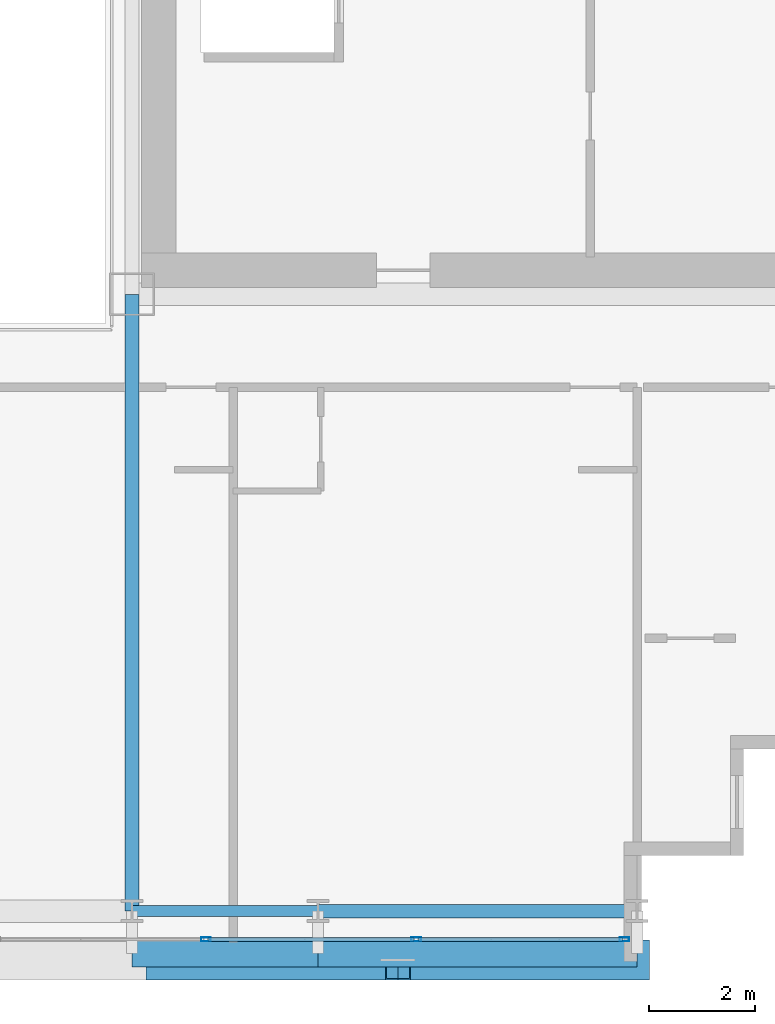
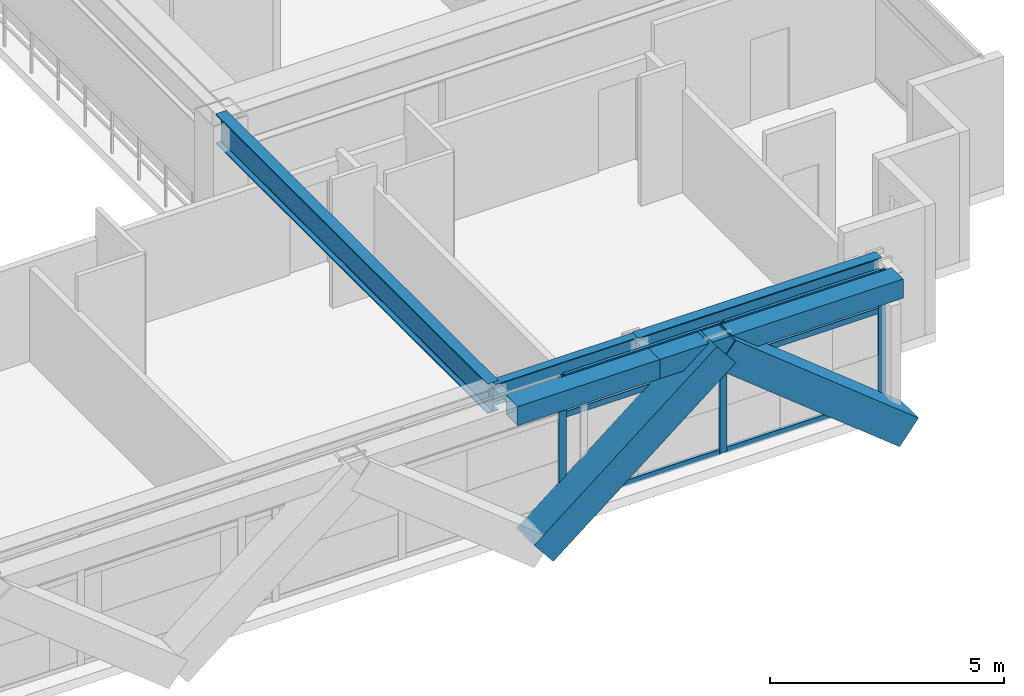
# One storey, part 10 of 35: 11 members, 5 beams, 1 element without a shape of its own.
"""IFC4 building model written with IfcOpenShell, lengths in metres."""

from ifc_helpers import new_model, si_unit, direction, frame, origin, origin_2d, place, context, subcontext, project, spatial, hollow_rectangle, i_section, extrude, source, transform, mapped, material, layer, layer_set, material_profile, profile_set, type_object, element, aggregate, save


model = new_model("IFC4")

# Units and contexts
model_context = context("Model", 3, precision=1e-05, world=origin(), true_north=direction((0.0, 1.0)))
body_context = subcontext(model_context, "Body", "Model", "MODEL_VIEW")
ifc_project = project(units=[si_unit("LENGTHUNIT", "METRE"), si_unit("AREAUNIT", "SQUARE_METRE"), si_unit("VOLUMEUNIT", "CUBIC_METRE"), si_unit("PLANEANGLEUNIT", "RADIAN"), si_unit("MASSUNIT", "GRAM", prefix="KILO")], contexts=[model_context])

# Site, building, storey
site_placement = place(None, origin())
site = spatial("IfcSite", under=ifc_project, at=site_placement, CompositionType="ELEMENT")
building_placement = place(site_placement, origin())
building = spatial("IfcBuilding", under=site, at=building_placement, Name="Ocotamira Hotel", CompositionType="ELEMENT")
storey_placement = place(building_placement, frame((0.0, 0.0, 140.39990234375)))
storey = spatial("IfcBuildingStorey", under=building, at=storey_placement, Name="L35", CompositionType="ELEMENT", Elevation=140.39990234375)

# Beams
ifc_material_1 = material(Name="Steel ASTM A992 Grade 50", Category="steel")
ifc_material_profile_1 = material_profile(ifc_material_1, i_section(OverallWidth=0.256103515625, OverallDepth=0.693115234375, WebThickness=0.014404296875, FlangeThickness=0.023681640625, FilletRadius=0.01611328125, at=origin_2d()), Name="W27X114")
ifc_profile_set_1 = profile_set([ifc_material_profile_1], Name="Steel ASTM A992 Grade 50")
beam_type_1 = type_object("IfcBeamType", Name="BM-PRIM-W27X114", PredefinedType="BEAM", material=ifc_profile_set_1)
shared_shape_1 = source(origin(), body_context, "Body", "SweptSolid", [
    extrude(i_section(OverallWidth=0.256103515625, OverallDepth=0.693115234375, WebThickness=0.014404296875, FlangeThickness=0.023681640625, FilletRadius=0.01611328125, at=origin_2d()), origin(), (0.0, 0.0, 1.0), 6.0),
])
beam_1_placement = place(storey_placement, frame((44.0, 2.949951171875, 3.013671875), z_axis=(1.0, 0.0, 0.0), x_axis=(0.0, 1.0, 0.0)))
element("IfcBeam", 1, at=beam_1_placement, inside=storey, type_object=beam_type_1, Name="L35 Girder Y2.95 X44-50", PredefinedType="BEAM", context=body_context, shape_type="MappedRepresentation", body=[
    mapped(shared_shape_1, transform((0.0, 0.0, 0.0), scale=1.0)),
])
ifc_material_profile_2 = material_profile(ifc_material_1, i_section(OverallWidth=0.2099609375, OverallDepth=0.537109375, WebThickness=0.010986328125, FlangeThickness=0.017333984375, FilletRadius=0.012939453125, at=origin_2d()), Name="W21X68")
ifc_profile_set_2 = profile_set([ifc_material_profile_2], Name="Steel ASTM A992 Grade 50")
beam_type_2 = type_object("IfcBeamType", Name="BM-SEC-W21X68", PredefinedType="JOIST", material=ifc_profile_set_2)
shared_shape_2 = source(origin(), body_context, "Body", "SweptSolid", [
    extrude(i_section(OverallWidth=0.2099609375, OverallDepth=0.537109375, WebThickness=0.010986328125, FlangeThickness=0.017333984375, FilletRadius=0.012939453125, at=origin_2d()), origin(), (0.0, 0.0, 1.0), 3.5),
])
beam_2_placement = place(storey_placement, frame((40.5, 2.949951171875, 3.091552734375), z_axis=(1.0, 0.0, 0.0), x_axis=(0.0, 1.0, 0.0)))
element("IfcBeam", 2, at=beam_2_placement, inside=storey, type_object=beam_type_2, Name="L35 Girder Y2.95 X40.5-44", PredefinedType="JOIST", context=body_context, shape_type="MappedRepresentation", body=[
    mapped(shared_shape_2, transform((0.0, 0.0, 0.0), scale=1.0)),
])
ifc_material_profile_3 = material_profile(ifc_material_1, i_section(OverallWidth=0.26611328125, OverallDepth=0.779052734375, WebThickness=0.0166015625, FlangeThickness=0.030029296875, FilletRadius=0.01806640625, at=origin_2d()), Name="W30X148")
ifc_profile_set_3 = profile_set([ifc_material_profile_3], Name="Steel ASTM A992 Grade 50")
beam_type_3 = type_object("IfcBeamType", Name="BM-GIRD-W30X148", PredefinedType="BEAM", material=ifc_profile_set_3)
shared_shape_3 = source(origin(), body_context, "Body", "SweptSolid", [
    extrude(i_section(OverallWidth=0.26611328125, OverallDepth=0.779052734375, WebThickness=0.0166015625, FlangeThickness=0.030029296875, FilletRadius=0.01806640625, at=origin_2d()), origin(), (0.0, 0.0, 1.0), 11.60009765625),
])
beam_3_placement = place(storey_placement, frame((40.5, 2.949951171875, 2.970703125), z_axis=(0.0, 1.0, 0.0), x_axis=(-1.0, 0.0, 0.0)))
element("IfcBeam", 3, at=beam_3_placement, inside=storey, type_object=beam_type_3, Name="L35 Beam X40.5 Y2.95-14.55", PredefinedType="BEAM", context=body_context, shape_type="MappedRepresentation", body=[
    mapped(shared_shape_3, transform((0.0, 0.0, 0.0), scale=1.0)),
])
ifc_material_2 = material(Name="Steel ASTM A500 Grade C", Category="steel")
ifc_material_profile_4 = material_profile(ifc_material_2, hollow_rectangle(XDim=0.5, YDim=0.5, WallThickness=0.02001953125, at=origin_2d()), Name="HSS500X500X20")
ifc_profile_set_4 = profile_set([ifc_material_profile_4], Name="Steel ASTM A500 Grade C")
beam_type_4 = type_object("IfcBeamType", Name="BM-SPAN-HSS500", PredefinedType="USERDEFINED", material=ifc_profile_set_4)
shared_shape_4 = source(origin(), body_context, "Body", "SweptSolid", [
    extrude(hollow_rectangle(XDim=0.5, YDim=0.5, WallThickness=0.02001953125, at=origin_2d()), origin(), (0.0, 0.0, 1.0), 6.0),
])
beam_4_placement = place(storey_placement, frame((44.0, 2.14990234375, 3.110107421875), z_axis=(1.0, 0.0, 0.0), x_axis=(0.0, 1.0, 0.0)))
element("IfcBeam", 4, at=beam_4_placement, inside=storey, type_object=beam_type_4, Name="L35 Edge Spandrel S X44-50", ObjectType="SPANDREL", PredefinedType="USERDEFINED", context=body_context, shape_type="MappedRepresentation", body=[
    mapped(shared_shape_4, transform((0.0, 0.0, 0.0), scale=1.0)),
])
shared_shape_5 = source(origin(), body_context, "Body", "SweptSolid", [
    extrude(hollow_rectangle(XDim=0.5, YDim=0.5, WallThickness=0.02001953125, at=origin_2d()), origin(), (0.0, 0.0, 1.0), 3.5),
])
beam_5_placement = place(storey_placement, frame((40.5, 2.14990234375, 3.110107421875), z_axis=(1.0, 0.0, 0.0), x_axis=(0.0, 1.0, 0.0)))
element("IfcBeam", 5, at=beam_5_placement, inside=storey, type_object=beam_type_4, Name="L35 Edge Spandrel S X40.5-44", ObjectType="SPANDREL", PredefinedType="USERDEFINED", context=body_context, shape_type="MappedRepresentation", body=[
    mapped(shared_shape_5, transform((0.0, 0.0, 0.0), scale=1.0)),
])

# Members
ifc_material_3 = material(Name="Pale-metal coated steel ASTM A913 Grade 65", Category="steel")
ifc_material_profile_5 = material_profile(ifc_material_3, hollow_rectangle(XDim=0.75, YDim=0.75, WallThickness=0.028076171875, at=origin_2d()), Name="BOX750X750X28")
ifc_profile_set_5 = profile_set([ifc_material_profile_5], Name="Pale-metal coated steel ASTM A913 Grade 65")
member_type_1 = type_object("IfcMemberType", Name="MEM-EXO-BOX750", PredefinedType="BRACE", material=ifc_profile_set_5)
shared_shape_6 = source(origin(), body_context, "Body", "SweptSolid", [
    extrude(hollow_rectangle(XDim=0.75, YDim=0.75, WallThickness=0.028076171875, at=origin_2d()), origin(), (0.0, 0.0, 1.0), 5.762939453125),
])
for number, where, z_axis, x_axis, name in (
    (6, (41.0, 2.030029296875, -0.489990234375), (0.780860543151, 0.0, 0.624705380279), (0.0, 1.0, 0.0), "L35 Exoskeleton Diagrid S3.1"),
    (7, (50.0, 2.030029296875, -0.489990234375), (-0.780860543151, 0.0, 0.624705380279), (0.0, -1.0, 0.0), "L35 Exoskeleton Diagrid S3.2"),
):
    element("IfcMember", number, at=place(storey_placement, frame(where, z_axis=z_axis, x_axis=x_axis)), inside=storey, type_object=member_type_1, Name=name, PredefinedType="BRACE", context=body_context, shape_type="MappedRepresentation", body=[
        mapped(shared_shape_6, transform((0.0, 0.0, 0.0), scale=1.0)),
    ])

# Curtain wall, members
ifc_material_4 = material(Name="Anodised pale-metal aluminium and solar glass", Category="aluminium")
ifc_layer = layer(ifc_material_4, 0.179931640625)
ifc_layer_set = layer_set([ifc_layer], Name="Anodised pale-metal aluminium and solar glass")
curtain_wall_type = type_object("IfcCurtainWallType", Name="CW-SYS3-Z2", PredefinedType="NOTDEFINED", material=ifc_layer_set)
curtain_wall_placement = place(storey_placement, origin())
curtain_wall = element("IfcCurtainWall", 8, at=curtain_wall_placement, inside=storey, type_object=curtain_wall_type, Name="L35 Curtain Wall CW-3 CW-L35-S1", PredefinedType="NOTDEFINED")
ifc_material_5 = material(Name="Anodised pale-metal aluminium 6063-T6", Category="aluminium")
ifc_material_profile_6 = material_profile(ifc_material_5, hollow_rectangle(XDim=0.074951171875, YDim=0.14990234375, WallThickness=0.006103515625, at=origin_2d()), Name="HSS150X75X6")
ifc_profile_set_6 = profile_set([ifc_material_profile_6], Name="Anodised pale-metal aluminium 6063-T6")
member_type_2 = type_object("IfcMemberType", Name="CWT-150X75", PredefinedType="USERDEFINED", material=ifc_profile_set_6)
shared_shape_7 = source(origin(), body_context, "Body", "SweptSolid", [
    extrude(hollow_rectangle(XDim=0.074951171875, YDim=0.14990234375, WallThickness=0.006103515625, at=origin_2d()), origin(), (0.0, 0.0, 1.0), 3.83544921875),
])
member_1_placement = place(storey_placement, frame((45.884521484375, 2.419921875, 0.03759765625), z_axis=(1.0, 0.0, 0.0), x_axis=(0.0, 1.0, 0.0)))
member_1 = element("IfcMember", 9, at=member_1_placement, type_object=member_type_2, Name="CW-3 transom 9.1", ObjectType="TRANSOM", PredefinedType="USERDEFINED", context=body_context, shape_type="MappedRepresentation", body=[
    mapped(shared_shape_7, transform((0.0, 0.0, 0.0), scale=1.0)),
])
member_2_placement = place(storey_placement, frame((45.884521484375, 2.419921875, 2.35009765625), z_axis=(1.0, 0.0, 0.0), x_axis=(0.0, 1.0, 0.0)))
member_2 = element("IfcMember", 10, at=member_2_placement, type_object=member_type_2, Name="CW-3 transom 9.2", ObjectType="TRANSOM", PredefinedType="USERDEFINED", context=body_context, shape_type="MappedRepresentation", body=[
    mapped(shared_shape_7, transform((0.0, 0.0, 0.0), scale=1.0)),
])
member_3_placement = place(storey_placement, frame((45.884521484375, 2.419921875, 3.322509765625), z_axis=(1.0, 0.0, 0.0), x_axis=(0.0, 1.0, 0.0)))
member_3 = element("IfcMember", 11, at=member_3_placement, type_object=member_type_2, Name="CW-3 transom 9.3", ObjectType="TRANSOM", PredefinedType="USERDEFINED", context=body_context, shape_type="MappedRepresentation", body=[
    mapped(shared_shape_7, transform((0.0, 0.0, 0.0), scale=1.0)),
])
shared_shape_8 = source(origin(), body_context, "Body", "SweptSolid", [
    extrude(hollow_rectangle(XDim=0.074951171875, YDim=0.14990234375, WallThickness=0.006103515625, at=origin_2d()), origin(), (0.0, 0.0, 1.0), 3.87548828125),
])
member_4_placement = place(storey_placement, frame((41.928955078125, 2.419921875, 0.03759765625), z_axis=(1.0, 0.0, 0.0), x_axis=(0.0, 1.0, 0.0)))
member_4 = element("IfcMember", 12, at=member_4_placement, type_object=member_type_2, Name="CW-3 transom 8.1", ObjectType="TRANSOM", PredefinedType="USERDEFINED", context=body_context, shape_type="MappedRepresentation", body=[
    mapped(shared_shape_8, transform((0.0, 0.0, 0.0), scale=1.0)),
])
member_5_placement = place(storey_placement, frame((41.928955078125, 2.419921875, 2.35009765625), z_axis=(1.0, 0.0, 0.0), x_axis=(0.0, 1.0, 0.0)))
member_5 = element("IfcMember", 13, at=member_5_placement, type_object=member_type_2, Name="CW-3 transom 8.2", ObjectType="TRANSOM", PredefinedType="USERDEFINED", context=body_context, shape_type="MappedRepresentation", body=[
    mapped(shared_shape_8, transform((0.0, 0.0, 0.0), scale=1.0)),
])
member_6_placement = place(storey_placement, frame((41.928955078125, 2.419921875, 3.322509765625), z_axis=(1.0, 0.0, 0.0), x_axis=(0.0, 1.0, 0.0)))
member_6 = element("IfcMember", 14, at=member_6_placement, type_object=member_type_2, Name="CW-3 transom 8.3", ObjectType="TRANSOM", PredefinedType="USERDEFINED", context=body_context, shape_type="MappedRepresentation", body=[
    mapped(shared_shape_8, transform((0.0, 0.0, 0.0), scale=1.0)),
])
ifc_material_profile_7 = material_profile(ifc_material_5, hollow_rectangle(XDim=0.080078125, YDim=0.179931640625, WallThickness=0.006103515625, at=origin_2d()), Name="HSS180X80X6")
ifc_profile_set_7 = profile_set([ifc_material_profile_7], Name="Anodised pale-metal aluminium 6063-T6")
member_type_3 = type_object("IfcMemberType", Name="CWM-180X75", PredefinedType="MULLION", material=ifc_profile_set_7)
shared_shape_9 = source(origin(), body_context, "Body", "SweptSolid", [
    extrude(hollow_rectangle(XDim=0.080078125, YDim=0.179931640625, WallThickness=0.006103515625, at=origin_2d()), origin(), (0.0, 0.0, 1.0), 3.360107421875),
])
member_7_placement = place(storey_placement, frame((41.888916015625, 2.419921875, 0.0), z_axis=(0.0, 0.0, 1.0), x_axis=(0.0, 1.0, 0.0)))
member_7 = element("IfcMember", 15, at=member_7_placement, type_object=member_type_3, Name="CW-3 mullion 8", PredefinedType="MULLION", context=body_context, shape_type="MappedRepresentation", body=[
    mapped(shared_shape_9, transform((0.0, 0.0, 0.0), scale=1.0)),
])
member_8_placement = place(storey_placement, frame((45.844482421875, 2.419921875, 0.0), z_axis=(0.0, 0.0, 1.0), x_axis=(0.0, 1.0, 0.0)))
member_8 = element("IfcMember", 16, at=member_8_placement, type_object=member_type_3, Name="CW-3 mullion 9", PredefinedType="MULLION", context=body_context, shape_type="MappedRepresentation", body=[
    mapped(shared_shape_9, transform((0.0, 0.0, 0.0), scale=1.0)),
])
member_9_placement = place(storey_placement, frame((49.760009765625, 2.419921875, 0.0), z_axis=(0.0, 0.0, 1.0), x_axis=(0.0, 1.0, 0.0)))
member_9 = element("IfcMember", 17, at=member_9_placement, type_object=member_type_3, Name="CW-3 mullion 10", PredefinedType="MULLION", context=body_context, shape_type="MappedRepresentation", body=[
    mapped(shared_shape_9, transform((0.0, 0.0, 0.0), scale=1.0)),
])
aggregate(curtain_wall, [member_7, member_8, member_9, member_4, member_5, member_6, member_1, member_2, member_3])

save(model, "model.ifc")
